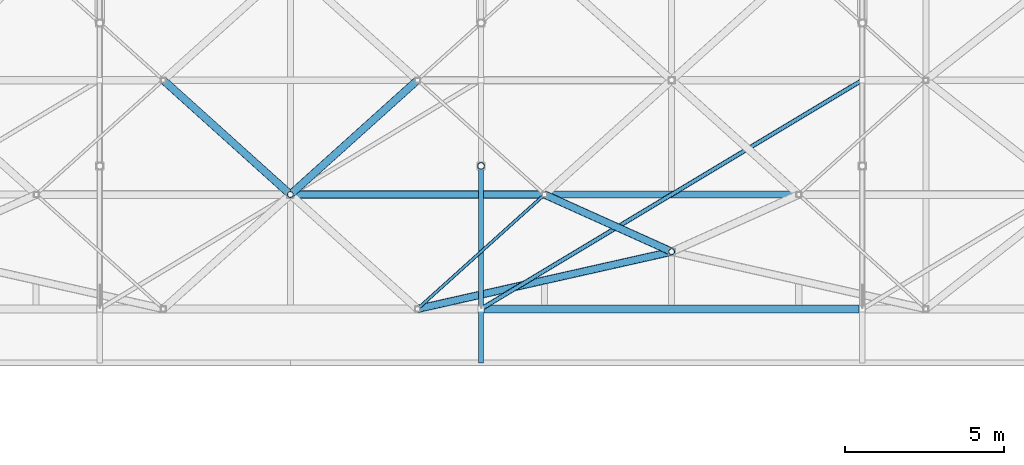
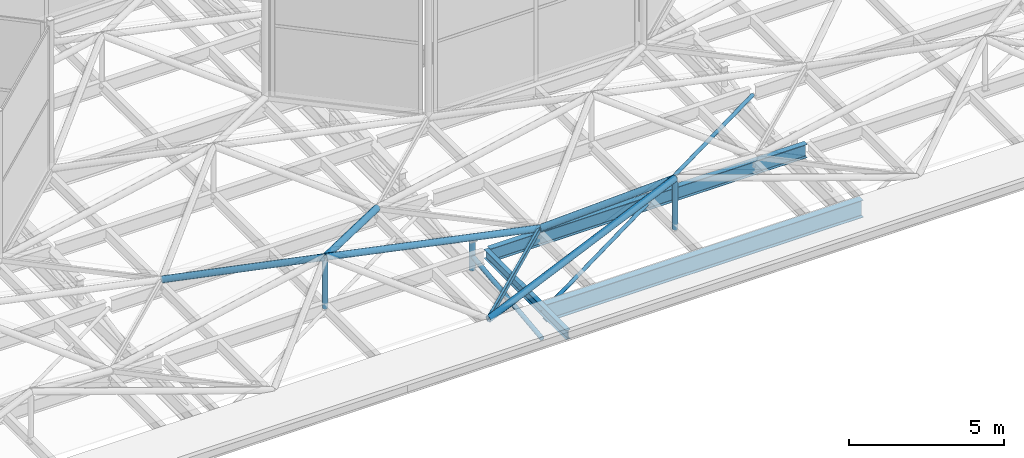
# One storey, part 35 of 239: 10 members, 4 beams.
"""IFC4 building model written with IfcOpenShell, lengths in metres."""

from ifc_helpers import new_model, si_unit, direction, frame, origin, origin_2d, place, context, subcontext, project, spatial, hollow_rectangle, hollow_circle, i_section, extrude, material, material_profile, profile_set, type_object, element, save


model = new_model("IFC4")

# Units and contexts
model_context = context("Model", 3, precision=1e-05, world=origin(), true_north=direction((0.0, 1.0)))
body_context = subcontext(model_context, "Body", "Model", "MODEL_VIEW")
ifc_project = project(units=[si_unit("LENGTHUNIT", "METRE"), si_unit("AREAUNIT", "SQUARE_METRE"), si_unit("VOLUMEUNIT", "CUBIC_METRE"), si_unit("PLANEANGLEUNIT", "RADIAN"), si_unit("MASSUNIT", "GRAM", prefix="KILO")], contexts=[model_context])

# Site, building, storey
site_placement = place(None, origin())
site = spatial("IfcSite", under=ifc_project, at=site_placement, CompositionType="ELEMENT")
building_placement = place(site_placement, origin())
building = spatial("IfcBuilding", under=site, at=building_placement, Name="Dunvalen Ferry Terminal", CompositionType="ELEMENT")
storey_placement = place(building_placement, frame((0.0, 0.0, 9.840087890625)))
storey = spatial("IfcBuildingStorey", under=building, at=storey_placement, Name="L02", CompositionType="ELEMENT", Elevation=9.840087890625)

# Beams
ifc_material = material(Name="Steel S355", Category="steel")
ifc_material_profile_1 = material_profile(ifc_material, i_section(OverallWidth=0.169921875, OverallDepth=0.360107421875, WebThickness=0.008056640625, FlangeThickness=0.0126953125, FilletRadius=0.01806640625, at=origin_2d()), Name="Steel S355")
ifc_profile_set_1 = profile_set([ifc_material_profile_1], Name="Steel S355")
beam_type_1 = type_object("IfcBeamType", Name="STR-BM-IPE360", PredefinedType="BEAM", material=ifc_profile_set_1)
beam_1_placement = place(storey_placement, frame((72.0, 54.0, 0.81982421875), z_axis=(0.0, -1.0, 0.0), x_axis=(1.0, 0.0, 0.0)))
element("IfcBeam", 1, at=beam_1_placement, inside=storey, type_object=beam_type_1, Name="Departure Hall South Eave Outrigger 11", PredefinedType="BEAM", context=body_context, shape_type="SweptSolid", body=[
    extrude(i_section(OverallWidth=0.169921875, OverallDepth=0.360107421875, WebThickness=0.008056640625, FlangeThickness=0.0126953125, FilletRadius=0.01806640625, at=origin_2d()), origin(), (0.0, 0.0, 1.0), 5.300048828125),
])
ifc_material_profile_2 = material_profile(ifc_material, hollow_rectangle(XDim=0.10009765625, YDim=0.199951171875, WallThickness=0.008056640625, InnerFilletRadius=0.008056640625, OuterFilletRadius=0.01611328125, at=origin_2d()), Name="Steel S355")
ifc_profile_set_2 = profile_set([ifc_material_profile_2], Name="Steel S355")
beam_type_2 = type_object("IfcBeamType", Name="STR-BM-RHS200", PredefinedType="BEAM", material=ifc_profile_set_2)
beam_2_placement = place(storey_placement, frame((70.0, 50.39990234375, 1.099853515625), z_axis=(0.743285123004, 0.668974757313, 0.0), x_axis=(-0.668974757313, 0.743285123004, 0.0)))
element("IfcBeam", 2, at=beam_2_placement, inside=storey, type_object=beam_type_2, Name="HEX-29 Hexagonal Rim Beam 3", PredefinedType="BEAM", context=body_context, shape_type="SweptSolid", body=[
    extrude(hollow_rectangle(XDim=0.10009765625, YDim=0.199951171875, WallThickness=0.008056640625, InnerFilletRadius=0.008056640625, OuterFilletRadius=0.01611328125, at=origin_2d()), origin(), (0.0, 0.0, 1.0), 5.381591796875),
])
ifc_material_profile_3 = material_profile(ifc_material, i_section(OverallWidth=0.209228515625, OverallDepth=0.533203125, WebThickness=0.010009765625, FlangeThickness=0.015625, FilletRadius=0.0126953125, at=origin_2d()), Name="Steel S355")
ifc_profile_set_3 = profile_set([ifc_material_profile_3], Name="Steel S355")
beam_type_3 = type_object("IfcBeamType", Name="STR-BM-UKB533", PredefinedType="BEAM", material=ifc_profile_set_3)
beam_3_placement = place(storey_placement, frame((72.10009765625, 54.0, 0.7333984375), z_axis=(1.0, 0.0, 0.0), x_axis=(0.0, 1.0, 0.0)))
element("IfcBeam", 3, at=beam_3_placement, inside=storey, type_object=beam_type_3, Name="Departure Hall Spine Girder B6.02", PredefinedType="BEAM", context=body_context, shape_type="SweptSolid", body=[
    extrude(i_section(OverallWidth=0.209228515625, OverallDepth=0.533203125, WebThickness=0.010009765625, FlangeThickness=0.015625, FilletRadius=0.0126953125, at=origin_2d()), origin(), (0.0, 0.0, 1.0), 11.7998046875),
])
ifc_material_profile_4 = material_profile(ifc_material, i_section(OverallWidth=0.253662109375, OverallDepth=0.68359375, WebThickness=0.012451171875, FlangeThickness=0.01904296875, FilletRadius=0.01513671875, at=origin_2d()), Name="Steel S355")
ifc_profile_set_4 = profile_set([ifc_material_profile_4], Name="Steel S355")
beam_type_4 = type_object("IfcBeamType", Name="STR-BM-UKB686", PredefinedType="BEAM", material=ifc_profile_set_4)
beam_4_placement = place(storey_placement, frame((72.10009765625, 50.39990234375, 0.658203125), z_axis=(1.0, 0.0, 0.0), x_axis=(0.0, 1.0, 0.0)))
element("IfcBeam", 4, at=beam_4_placement, inside=storey, type_object=beam_type_4, Name="Departure Hall Spine Girder B6.01", PredefinedType="BEAM", context=body_context, shape_type="SweptSolid", body=[
    extrude(i_section(OverallWidth=0.253662109375, OverallDepth=0.68359375, WebThickness=0.012451171875, FlangeThickness=0.01904296875, FilletRadius=0.01513671875, at=origin_2d()), origin(), (0.0, 0.0, 1.0), 11.7998046875),
])

# Members
ifc_material_profile_5 = material_profile(ifc_material, hollow_circle(Radius=0.06982421875, WallThickness=0.00634765625, at=origin_2d()), Name="Steel S355")
ifc_profile_set_5 = profile_set([ifc_material_profile_5], Name="Steel S355")
member_type_1 = type_object("IfcMemberType", Name="STR-MB-CHS139", PredefinedType="BRACE", material=ifc_profile_set_5)
member_1_placement = place(storey_placement, frame((72.0, 50.39990234375, 0.659912109375), z_axis=(0.857486768376, 0.514506017516, 0.0), x_axis=(-0.514506017516, 0.857486768376, 0.0)))
element("IfcMember", 5, at=member_1_placement, inside=storey, type_object=member_type_1, Name="Departure Hall Roof Wind Brace 6A", PredefinedType="BRACE", context=body_context, shape_type="SweptSolid", body=[
    extrude(hollow_circle(Radius=0.06982421875, WallThickness=0.00634765625, at=origin_2d()), origin(), (0.0, 0.0, 1.0), 13.994384765625),
])
ifc_material_profile_6 = material_profile(ifc_material, hollow_circle(Radius=0.084228515625, WallThickness=0.008056640625, at=origin_2d()), Name="Steel S355")
ifc_profile_set_6 = profile_set([ifc_material_profile_6], Name="Steel S355")
member_type_2 = type_object("IfcMemberType", Name="STR-MB-CHS168", PredefinedType="BRACE", material=ifc_profile_set_6)
member_2_placement = place(storey_placement, frame((72.0, 50.39990234375, -0.360107421875), z_axis=(0.0, 0.993166043245, 0.116709941931), x_axis=(-1.0, 0.0, 0.0)))
element("IfcMember", 6, at=member_2_placement, inside=storey, type_object=member_type_2, Name="Departure Hall Arch Web Diagonal 06.1", PredefinedType="BRACE", context=body_context, shape_type="SweptSolid", body=[
    extrude(hollow_circle(Radius=0.084228515625, WallThickness=0.008056640625, at=origin_2d()), origin(), (0.0, 0.0, 1.0), 4.531005859375),
])
ifc_material_profile_7 = material_profile(ifc_material, hollow_circle(Radius=0.096923828125, WallThickness=0.008056640625, at=origin_2d()), Name="Steel S355")
ifc_profile_set_7 = profile_set([ifc_material_profile_7], Name="Steel S355")
member_type_3 = type_object("IfcMemberType", Name="STR-MB-CHS193", PredefinedType="STRUT", material=ifc_profile_set_7)
for number, where, z_axis, x_axis, name in (
    (7, (66.0, 54.0, 0.77001953125), (0.0, 0.0, 1.0), (1.0, 0.0, 0.0), "HEX-29 Pyramid Apex Strut"),
    (8, (78.0, 52.199951171875, 0.77001953125), (0.0, 0.0, 1.0), (1.0, 0.0, 0.0), "HEX-34 Pyramid Apex Strut"),
):
    element("IfcMember", number, at=place(storey_placement, frame(where, z_axis=z_axis, x_axis=x_axis)), inside=storey, type_object=member_type_3, Name=name, PredefinedType="STRUT", context=body_context, shape_type="SweptSolid", body=[
        extrude(hollow_circle(Radius=0.096923828125, WallThickness=0.008056640625, at=origin_2d()), origin(), (0.0, 0.0, 1.0), 1.994873046875),
    ])
ifc_material_profile_8 = material_profile(ifc_material, hollow_circle(Radius=0.109619140625, WallThickness=0.010009765625, at=origin_2d()), Name="Steel S355")
ifc_profile_set_8 = profile_set([ifc_material_profile_8], Name="Steel S355")
member_type_4 = type_object("IfcMemberType", Name="STR-MB-CHS219", PredefinedType="STRUT", material=ifc_profile_set_8)
member_3_placement = place(storey_placement, frame((72.0, 54.89990234375, -0.360107421875), z_axis=(0.0, 0.0, 1.0), x_axis=(1.0, 0.0, 0.0)))
element("IfcMember", 9, at=member_3_placement, inside=storey, type_object=member_type_4, Name="Departure Hall Arch Spandrel Strut 06.1", PredefinedType="STRUT", context=body_context, shape_type="SweptSolid", body=[
    extrude(hollow_circle(Radius=0.109619140625, WallThickness=0.010009765625, at=origin_2d()), origin(), (0.0, 0.0, 1.0), 1.130126953125),
])
ifc_material_profile_9 = material_profile(ifc_material, hollow_circle(Radius=0.122314453125, WallThickness=0.010009765625, at=origin_2d()), Name="Steel S355")
ifc_profile_set_9 = profile_set([ifc_material_profile_9], Name="Steel S355")
member_type_5 = type_object("IfcMemberType", Name="STR-MB-CHS244", PredefinedType="STRUT", material=ifc_profile_set_9)
member_4_placement = place(storey_placement, frame((74.0, 54.0, 1.099853515625), z_axis=(-0.979020171275, 0.0, 0.203763353518), x_axis=(0.0, -1.0, 0.0)))
element("IfcMember", 10, at=member_4_placement, inside=storey, type_object=member_type_5, Name="HEX-29 Pyramid Hip Rafter 4", PredefinedType="STRUT", context=body_context, shape_type="SweptSolid", body=[
    extrude(hollow_circle(Radius=0.122314453125, WallThickness=0.010009765625, at=origin_2d()), origin(), (0.0, 0.0, 1.0), 8.17138671875),
])
for number, where, z_axis, x_axis, name in (
    (11, (70.0, 57.60009765625, 1.099853515625), (-0.710074680578, -0.639084548328, 0.295575520114), (0.668974757313, -0.743285123004, 0.0), "HEX-29 Pyramid Hip Rafter 5"),
    (12, (62.0, 57.60009765625, 1.099853515625), (0.710074680578, -0.639084548328, 0.295575520114), (0.668974757313, 0.743285123004, 0.0), "HEX-29 Pyramid Hip Rafter 6"),
):
    element("IfcMember", number, at=place(storey_placement, frame(where, z_axis=z_axis, x_axis=x_axis)), inside=storey, type_object=member_type_5, Name=name, PredefinedType="STRUT", context=body_context, shape_type="SweptSolid", body=[
        extrude(hollow_circle(Radius=0.122314453125, WallThickness=0.010009765625, at=origin_2d()), origin(), (0.0, 0.0, 1.0), 5.63330078125),
    ])
member_5_placement = place(storey_placement, frame((70.0, 50.39990234375, 1.099853515625), z_axis=(0.956097314692, 0.215127731361, 0.198992422064), x_axis=(-0.219517862832, 0.975608480846, 0.0)))
element("IfcMember", 13, at=member_5_placement, inside=storey, type_object=member_type_5, Name="HEX-34 Pyramid Hip Rafter 1", PredefinedType="STRUT", context=body_context, shape_type="SweptSolid", body=[
    extrude(hollow_circle(Radius=0.122314453125, WallThickness=0.010009765625, at=origin_2d()), origin(), (0.0, 0.0, 1.0), 8.367431640625),
])
member_6_placement = place(storey_placement, frame((74.0, 54.0, 1.099853515625), z_axis=(0.852560097395, -0.383662451056, 0.354886466323), x_axis=(0.410373934525, 0.91191733938, 0.0)))
element("IfcMember", 14, at=member_6_placement, inside=storey, type_object=member_type_5, Name="HEX-34 Pyramid Hip Rafter 4", PredefinedType="STRUT", context=body_context, shape_type="SweptSolid", body=[
    extrude(hollow_circle(Radius=0.122314453125, WallThickness=0.010009765625, at=origin_2d()), origin(), (0.0, 0.0, 1.0), 4.691650390625),
])

save(model, "model.ifc")
